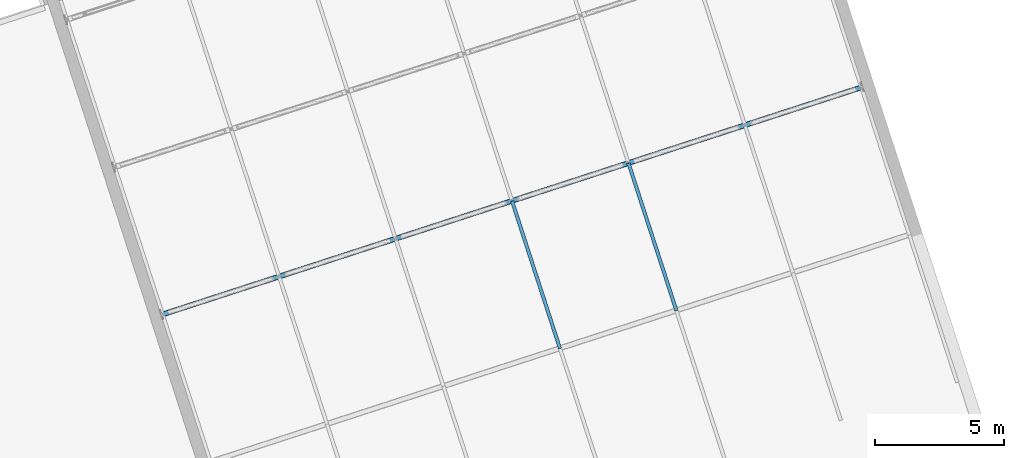
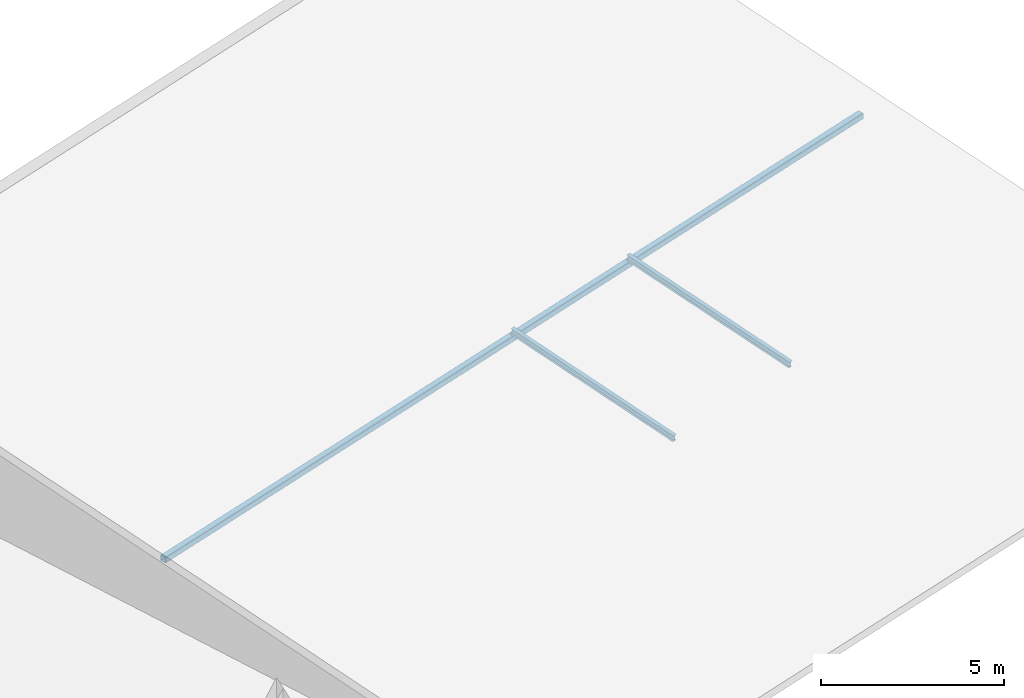
# One storey, part 7 of 55: 3 members.
"""IFC4 building model written with IfcOpenShell, lengths in metres."""

from ifc_helpers import new_model, si_unit, direction, frame, origin, origin_2d, place, context, subcontext, project, spatial, hollow_rectangle, i_section, extrude, material, material_profile, profile_set, type_object, element, save


model = new_model("IFC4")

# Units and contexts
model_context = context("Model", 3, precision=1e-05, world=origin(), true_north=direction((0.0, 1.0)))
body_context = subcontext(model_context, "Body", "Model", "MODEL_VIEW")
ifc_project = project(units=[si_unit("LENGTHUNIT", "METRE"), si_unit("AREAUNIT", "SQUARE_METRE"), si_unit("VOLUMEUNIT", "CUBIC_METRE"), si_unit("PLANEANGLEUNIT", "RADIAN"), si_unit("MASSUNIT", "GRAM", prefix="KILO")], contexts=[model_context])

# Site, building, storey
site_placement = place(None, origin())
site = spatial("IfcSite", under=ifc_project, at=site_placement, CompositionType="ELEMENT")
building_placement = place(site_placement, origin())
building = spatial("IfcBuilding", under=site, at=building_placement, Name="Tuart Plaza Theatre", CompositionType="ELEMENT")
storey_placement = place(building_placement, frame((0.0, 0.0, 21.5)))
storey = spatial("IfcBuildingStorey", under=building, at=storey_placement, Name="L05", CompositionType="ELEMENT", Elevation=21.5)

# Members
ifc_material_1 = material(Name="Steel Grade C350L0", Category="steel")
ifc_material_profile_1 = material_profile(ifc_material_1, hollow_rectangle(XDim=0.199951171875, YDim=0.199951171875, WallThickness=0.010009765625, InnerFilletRadius=0.010009765625, OuterFilletRadius=0.02001953125, at=origin_2d()), Name="200x200x10 SHS")
ifc_profile_set_1 = profile_set([ifc_material_profile_1], Name="Steel Grade C350L0")
member_type_1 = type_object("IfcMemberType", Name="MEMBER Chord 200x200x10 SHS", PredefinedType="CHORD", material=ifc_profile_set_1)
member_placement = place(storey_placement, frame((45.57861328125, 56.33544921875, 1.691650390625), z_axis=(0.951058825303, 0.309009887888, 0.0), x_axis=(-0.309009887888, 0.951058825303, 0.0)))
element("IfcMember", 1, at=member_placement, inside=storey, type_object=member_type_1, Name="CH6", PredefinedType="CHORD", context=body_context, shape_type="SweptSolid", body=[
    extrude(hollow_rectangle(XDim=0.199951171875, YDim=0.199951171875, WallThickness=0.010009765625, InnerFilletRadius=0.010009765625, OuterFilletRadius=0.02001953125, at=origin_2d()), origin(), (0.0, 0.0, 1.0), 28.550048828125),
])
ifc_material_2 = material(Name="Steel Grade 300", Category="steel")
ifc_material_profile_2 = material_profile(ifc_material_2, i_section(OverallWidth=0.133056640625, OverallDepth=0.202880859375, WebThickness=0.005859375, FlangeThickness=0.0078125, FilletRadius=0.0087890625, at=origin_2d()), Name="200UB25.4")
ifc_profile_set_2 = profile_set([ifc_material_profile_2], Name="Steel Grade 300")
member_type_2 = type_object("IfcMemberType", Name="MEMBER Purlin 200UB25.4", PredefinedType="PURLIN", material=ifc_profile_set_2)
for number, where, z_axis, x_axis, name in (
    (2, (61.00927734375, 55.040283203125, 1.114990234375), (-0.30638174423, 0.942865109663, 0.130903062545), (-0.951048719763, -0.309040988602, 0.0), "PU21"),
    (3, (65.518798828125, 56.505615234375, 1.114990234375), (-0.30638174423, 0.942865109663, 0.130903062545), (-0.951048719763, -0.309040988602, 0.0), "PU27"),
):
    element("IfcMember", number, at=place(storey_placement, frame(where, z_axis=z_axis, x_axis=x_axis)), inside=storey, type_object=member_type_2, Name=name, PredefinedType="PURLIN", context=body_context, shape_type="SweptSolid", body=[
        extrude(i_section(OverallWidth=0.133056640625, OverallDepth=0.202880859375, WebThickness=0.005859375, FlangeThickness=0.0078125, FilletRadius=0.0087890625, at=origin_2d()), origin(), (0.0, 0.0, 1.0), 6.052001953125),
    ])

save(model, "model.ifc")
